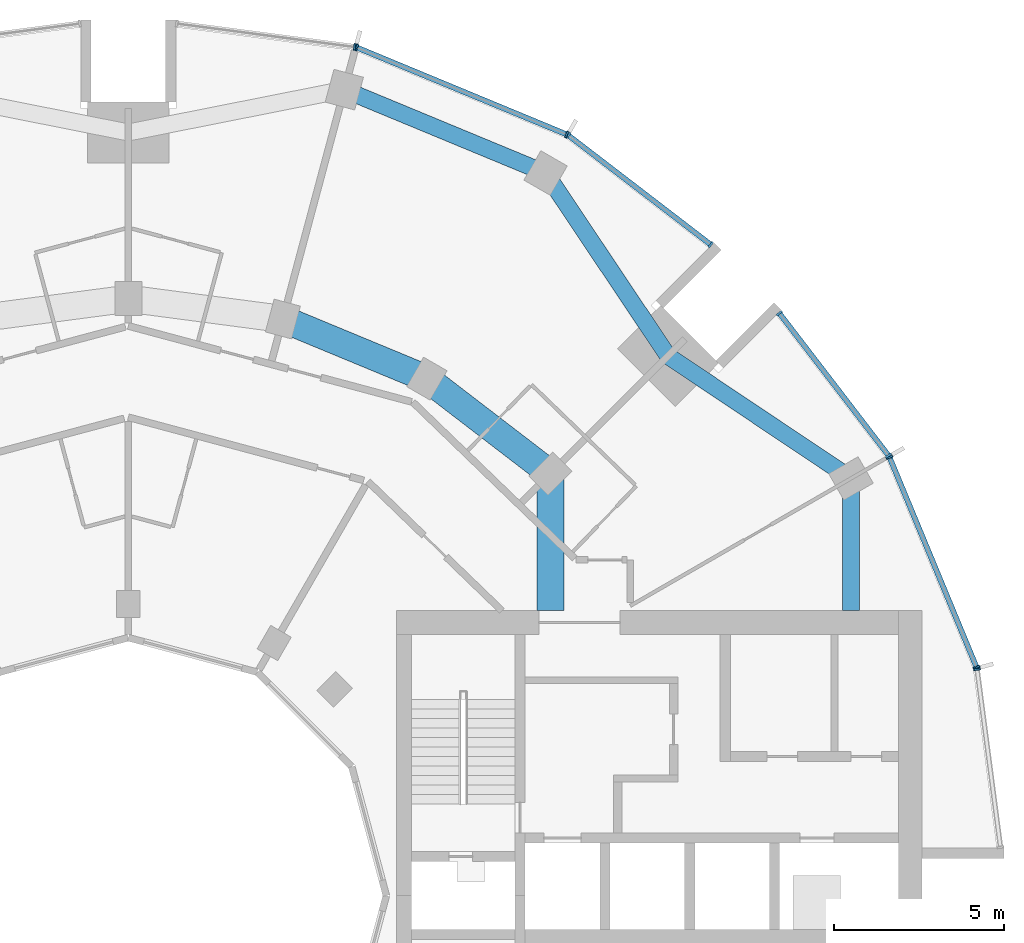
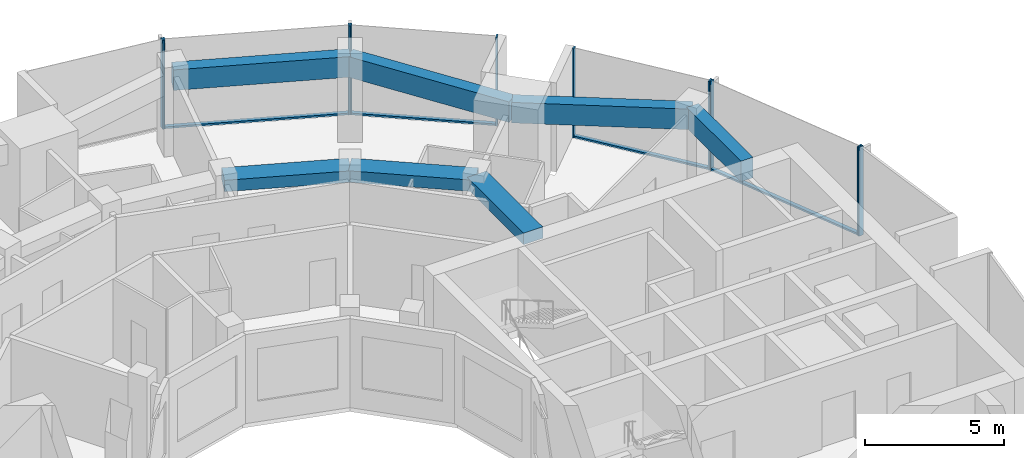
# One storey, part 6 of 15: 14 members, 7 beams, 6 elements without a shape of their own.
"""IFC4 building model written with IfcOpenShell, lengths in metres."""

from ifc_helpers import new_model, si_unit, direction, frame, origin, origin_2d, place, context, subcontext, project, spatial, rectangle, extrude, material, layer, layer_set, material_profile, profile_set, type_object, element, aggregate, save


model = new_model("IFC4")

# Units and contexts
model_context = context("Model", 3, precision=1e-05, world=origin(), true_north=direction((0.0, 1.0)))
body_context = subcontext(model_context, "Body", "Model", "MODEL_VIEW")
ifc_project = project(units=[si_unit("LENGTHUNIT", "METRE"), si_unit("AREAUNIT", "SQUARE_METRE"), si_unit("VOLUMEUNIT", "CUBIC_METRE"), si_unit("PLANEANGLEUNIT", "RADIAN"), si_unit("MASSUNIT", "GRAM", prefix="KILO")], contexts=[model_context])

# Site, building, storey
site_placement = place(None, origin())
site = spatial("IfcSite", under=ifc_project, at=site_placement, CompositionType="ELEMENT")
building_placement = place(site_placement, origin())
building = spatial("IfcBuilding", under=site, at=building_placement, Name="Torre Brocal", CompositionType="ELEMENT")
storey_placement = place(building_placement, frame((0.0, 0.0, 138.0)))
storey = spatial("IfcBuildingStorey", under=building, at=storey_placement, Name="L32", CompositionType="ELEMENT", Elevation=138.0)

# Curtain wall, members
ifc_material_1 = material(Name="Aluminium and glass", Category="aluminium")
ifc_layer_1 = layer(ifc_material_1, 0.199951171875)
ifc_layer_set_1 = layer_set([ifc_layer_1], Name="Aluminium and glass")
curtain_wall_type_1 = type_object("IfcCurtainWallType", Name="CW-1 CURTAIN WALL 3900 HIGH", PredefinedType="NOTDEFINED", material=ifc_layer_set_1)
curtain_wall_1_placement = place(storey_placement, origin())
curtain_wall_1 = element("IfcCurtainWall", 1, at=curtain_wall_1_placement, inside=storey, type_object=curtain_wall_type_1, Name="CW-1 RUN 2", PredefinedType="NOTDEFINED")
ifc_material_2 = material(Name="Aluminium, dark anodised", Category="aluminium")
ifc_material_profile_1 = material_profile(ifc_material_2, rectangle(XDim=0.199951171875, YDim=0.06005859375, at=origin_2d()), Name="CW-1 MULLION 60X200")
ifc_profile_set_1 = profile_set([ifc_material_profile_1], Name="Aluminium, dark anodised")
member_type_1 = type_object("IfcMemberType", Name="CW-1 MULLION 60X200", PredefinedType="MULLION", material=ifc_profile_set_1)
member_1_placement = place(storey_placement, frame((105.005126953125, 81.73095703125, 0.0), z_axis=(0.0, 0.0, 1.0), x_axis=(-0.923879532525, -0.382683432333, 0.0)))
member_1 = element("IfcMember", 2, at=member_1_placement, type_object=member_type_1, Name="CW1-3 mullion 1", PredefinedType="MULLION", context=body_context, shape_type="SweptSolid", body=[
    extrude(rectangle(XDim=0.199951171875, YDim=0.06005859375, at=origin_2d()), origin(), (0.0, 0.0, 1.0), 3.89990234375),
])
member_2_placement = place(storey_placement, frame((102.440673828125, 87.921875, 0.0), z_axis=(0.0, 0.0, 1.0), x_axis=(-0.923879532525, -0.382683432333, 0.0)))
member_2 = element("IfcMember", 3, at=member_2_placement, type_object=member_type_1, Name="CW1-3 mullion 2", PredefinedType="MULLION", context=body_context, shape_type="SweptSolid", body=[
    extrude(rectangle(XDim=0.199951171875, YDim=0.06005859375, at=origin_2d()), origin(), (0.0, 0.0, 1.0), 3.89990234375),
])

curtain_wall_2_placement = place(storey_placement, origin())
curtain_wall_2 = element("IfcCurtainWall", 4, at=curtain_wall_2_placement, inside=storey, type_object=curtain_wall_type_1, Name="CW-1 RUN 3", PredefinedType="NOTDEFINED")
member_3_placement = place(storey_placement, frame((102.4111328125, 87.973388671875, 0.0), z_axis=(0.0, 0.0, 1.0), x_axis=(-0.793353340259, -0.60876142905, 0.0)))
member_3 = element("IfcMember", 5, at=member_3_placement, type_object=member_type_1, Name="CW1-3 mullion 1", PredefinedType="MULLION", context=body_context, shape_type="SweptSolid", body=[
    extrude(rectangle(XDim=0.199951171875, YDim=0.06005859375, at=origin_2d()), origin(), (0.0, 0.0, 1.0), 3.89990234375),
])
member_4_placement = place(storey_placement, frame((99.19140625, 92.16943359375, 0.0), z_axis=(0.0, 0.0, 1.0), x_axis=(-0.793353340259, -0.60876142905, 0.0)))
member_4 = element("IfcMember", 6, at=member_4_placement, type_object=member_type_1, Name="CW1-3 mullion 2", PredefinedType="MULLION", context=body_context, shape_type="SweptSolid", body=[
    extrude(rectangle(XDim=0.199951171875, YDim=0.06005859375, at=origin_2d()), origin(), (0.0, 0.0, 1.0), 3.89990234375),
])

curtain_wall_3_placement = place(storey_placement, origin())
curtain_wall_3 = element("IfcCurtainWall", 7, at=curtain_wall_3_placement, inside=storey, type_object=curtain_wall_type_1, Name="CW-1 RUN 4", PredefinedType="NOTDEFINED")
member_5_placement = place(storey_placement, frame((97.16943359375, 94.19140625, 0.0), z_axis=(0.0, 0.0, 1.0), x_axis=(-0.60876142905, -0.793353340259, 0.0)))
member_5 = element("IfcMember", 8, at=member_5_placement, type_object=member_type_1, Name="CW1-3 mullion 1", PredefinedType="MULLION", context=body_context, shape_type="SweptSolid", body=[
    extrude(rectangle(XDim=0.199951171875, YDim=0.06005859375, at=origin_2d()), origin(), (0.0, 0.0, 1.0), 3.89990234375),
])
member_6_placement = place(storey_placement, frame((92.973388671875, 97.4111328125, 0.0), z_axis=(0.0, 0.0, 1.0), x_axis=(-0.60876142905, -0.793353340259, 0.0)))
member_6 = element("IfcMember", 9, at=member_6_placement, type_object=member_type_1, Name="CW1-3 mullion 2", PredefinedType="MULLION", context=body_context, shape_type="SweptSolid", body=[
    extrude(rectangle(XDim=0.199951171875, YDim=0.06005859375, at=origin_2d()), origin(), (0.0, 0.0, 1.0), 3.89990234375),
])

curtain_wall_4_placement = place(storey_placement, origin())
curtain_wall_4 = element("IfcCurtainWall", 10, at=curtain_wall_4_placement, inside=storey, type_object=curtain_wall_type_1, Name="CW-1 RUN 5", PredefinedType="NOTDEFINED")
member_7_placement = place(storey_placement, frame((92.921875, 97.440673828125, 0.0), z_axis=(0.0, 0.0, 1.0), x_axis=(-0.382683432333, -0.923879532525, 0.0)))
member_7 = element("IfcMember", 11, at=member_7_placement, type_object=member_type_1, Name="CW1-3 mullion 1", PredefinedType="MULLION", context=body_context, shape_type="SweptSolid", body=[
    extrude(rectangle(XDim=0.199951171875, YDim=0.06005859375, at=origin_2d()), origin(), (0.0, 0.0, 1.0), 3.89990234375),
])
member_8_placement = place(storey_placement, frame((86.73095703125, 100.005126953125, 0.0), z_axis=(0.0, 0.0, 1.0), x_axis=(-0.382683432333, -0.923879532525, 0.0)))
member_8 = element("IfcMember", 12, at=member_8_placement, type_object=member_type_1, Name="CW1-3 mullion 2", PredefinedType="MULLION", context=body_context, shape_type="SweptSolid", body=[
    extrude(rectangle(XDim=0.199951171875, YDim=0.06005859375, at=origin_2d()), origin(), (0.0, 0.0, 1.0), 3.89990234375),
])

# Curtain wall, member
curtain_wall_5_placement = place(storey_placement, origin())
curtain_wall_5 = element("IfcCurtainWall", 13, at=curtain_wall_5_placement, inside=storey, type_object=curtain_wall_type_1, Name="CW-1 RUN 6", PredefinedType="NOTDEFINED")
member_9_placement = place(storey_placement, frame((86.67333984375, 100.0205078125, 0.0), z_axis=(0.0, 0.0, 1.0), x_axis=(-0.13052619222, -0.991444861374, 0.0)))
member_9 = element("IfcMember", 14, at=member_9_placement, type_object=member_type_1, Name="CW1-3 mullion 1", PredefinedType="MULLION", context=body_context, shape_type="SweptSolid", body=[
    extrude(rectangle(XDim=0.199951171875, YDim=0.06005859375, at=origin_2d()), origin(), (0.0, 0.0, 1.0), 3.89990234375),
])
aggregate(curtain_wall_5, [member_9])

# Member
ifc_material_3 = material(Name="Aluminium, dark anodised", Category="aluminium")
ifc_material_profile_2 = material_profile(ifc_material_3, rectangle(XDim=0.159912109375, YDim=0.080078125, at=origin_2d()), Name="CW-1 TRANSOM 160X80")
ifc_profile_set_2 = profile_set([ifc_material_profile_2], Name="Aluminium, dark anodised")
member_type_2 = type_object("IfcMemberType", Name="CW-1 TRANSOM 160X80", PredefinedType="USERDEFINED", material=ifc_profile_set_2)
member_10_placement = place(storey_placement, frame((104.99365234375, 81.758544921875, 0.0400390625), z_axis=(-0.38266457234, 0.923887344364, 0.0), x_axis=(-0.923887344364, -0.38266457234, 0.0)))
member_10 = element("IfcMember", 15, at=member_10_placement, type_object=member_type_2, Name="CW1-3 transom 1.1", ObjectType="TRANSOM", PredefinedType="USERDEFINED", context=body_context, shape_type="SweptSolid", body=[
    extrude(rectangle(XDim=0.159912109375, YDim=0.080078125, at=origin_2d()), origin(), (0.0, 0.0, 1.0), 6.640869140625),
])

aggregate(curtain_wall_1, [member_1, member_2, member_10])

member_11_placement = place(storey_placement, frame((102.392822265625, 87.9970703125, 0.0400390625), z_axis=(-0.60874908096, 0.79336281513, 0.0), x_axis=(-0.79336281513, -0.60874908096, 0.0)))
member_11 = element("IfcMember", 16, at=member_11_placement, type_object=member_type_2, Name="CW1-3 transom 1.1", ObjectType="TRANSOM", PredefinedType="USERDEFINED", context=body_context, shape_type="SweptSolid", body=[
    extrude(rectangle(XDim=0.159912109375, YDim=0.080078125, at=origin_2d()), origin(), (0.0, 0.0, 1.0), 5.22900390625),
])

aggregate(curtain_wall_2, [member_3, member_4, member_11])

member_12_placement = place(storey_placement, frame((97.1455078125, 94.209716796875, 0.0400390625), z_axis=(-0.79336281513, 0.60874908096, 0.0), x_axis=(-0.60874908096, -0.79336281513, 0.0)))
member_12 = element("IfcMember", 17, at=member_12_placement, type_object=member_type_2, Name="CW1-3 transom 1.1", ObjectType="TRANSOM", PredefinedType="USERDEFINED", context=body_context, shape_type="SweptSolid", body=[
    extrude(rectangle(XDim=0.159912109375, YDim=0.080078125, at=origin_2d()), origin(), (0.0, 0.0, 1.0), 5.22900390625),
])

aggregate(curtain_wall_3, [member_5, member_6, member_12])

member_13_placement = place(storey_placement, frame((92.89404296875, 97.452392578125, 0.0400390625), z_axis=(-0.923887344364, 0.38266457234, 0.0), x_axis=(-0.38266457234, -0.923887344364, 0.0)))
member_13 = element("IfcMember", 18, at=member_13_placement, type_object=member_type_2, Name="CW1-3 transom 1.1", ObjectType="TRANSOM", PredefinedType="USERDEFINED", context=body_context, shape_type="SweptSolid", body=[
    extrude(rectangle(XDim=0.159912109375, YDim=0.080078125, at=origin_2d()), origin(), (0.0, 0.0, 1.0), 6.640869140625),
])

aggregate(curtain_wall_4, [member_7, member_8, member_13])

# Curtain wall, member
ifc_material_4 = material(Name="Aluminium and glass", Category="aluminium")
ifc_layer_2 = layer(ifc_material_4, 0.199951171875)
ifc_layer_set_2 = layer_set([ifc_layer_2], Name="Aluminium and glass")
curtain_wall_type_2 = type_object("IfcCurtainWallType", Name="CW-1B CURTAIN WALL 3900 HIGH", PredefinedType="NOTDEFINED", material=ifc_layer_set_2)
curtain_wall_6_placement = place(storey_placement, origin())
curtain_wall_6 = element("IfcCurtainWall", 19, at=curtain_wall_6_placement, inside=storey, type_object=curtain_wall_type_2, Name="CW-1B RUN 1", PredefinedType="NOTDEFINED")
ifc_material_5 = material(Name="Aluminium, dark anodised", Category="aluminium")
ifc_material_profile_3 = material_profile(ifc_material_5, rectangle(XDim=0.199951171875, YDim=0.06005859375, at=origin_2d()), Name="CW-1B MULLION 60X200")
ifc_profile_set_3 = profile_set([ifc_material_profile_3], Name="Aluminium, dark anodised")
member_type_3 = type_object("IfcMemberType", Name="CW-1B MULLION 60X200", PredefinedType="MULLION", material=ifc_profile_set_3)
member_14_placement = place(storey_placement, frame((105.0205078125, 81.67333984375, 0.0), z_axis=(0.0, 0.0, 1.0), x_axis=(-0.991444861374, -0.13052619222, 0.0)))
member_14 = element("IfcMember", 20, at=member_14_placement, type_object=member_type_3, Name="CW1B-3 mullion 2", PredefinedType="MULLION", context=body_context, shape_type="SweptSolid", body=[
    extrude(rectangle(XDim=0.199951171875, YDim=0.06005859375, at=origin_2d()), origin(), (0.0, 0.0, 1.0), 3.89990234375),
])
aggregate(curtain_wall_6, [member_14])

# Beams
ifc_material_6 = material(Name="Concrete C50", Category="concrete")
ifc_material_profile_4 = material_profile(ifc_material_6, rectangle(XDim=0.800048828125, YDim=0.5, at=origin_2d()), Name="RC 800X500")
ifc_profile_set_4 = profile_set([ifc_material_profile_4], Name="Concrete C50")
beam_type_1 = type_object("IfcBeamType", Name="RC BEAM 800X500 C50 TOP 3580", PredefinedType="BEAM", material=ifc_profile_set_4)
beam_1_placement = place(storey_placement, frame((92.445068359375, 87.445068359375, 3.330078125), z_axis=(-0.793358265959, 0.6087550097, 0.0), x_axis=(-0.6087550097, -0.793358265959, 0.0)))
element("IfcBeam", 21, at=beam_1_placement, inside=storey, type_object=beam_type_1, Name="Beam BT-28", PredefinedType="BEAM", context=body_context, shape_type="SweptSolid", body=[
    extrude(rectangle(XDim=0.800048828125, YDim=0.5, at=origin_2d()), origin(), (0.0, 0.0, 1.0), 4.594482421875),
])
beam_2_placement = place(storey_placement, frame((88.800048828125, 90.241943359375, 3.330078125), z_axis=(-0.923878240166, 0.382686552348, 0.0), x_axis=(-0.382686552348, -0.923878240166, 0.0)))
element("IfcBeam", 22, at=beam_2_placement, inside=storey, type_object=beam_type_1, Name="Beam BT-28", PredefinedType="BEAM", context=body_context, shape_type="SweptSolid", body=[
    extrude(rectangle(XDim=0.800048828125, YDim=0.5, at=origin_2d()), origin(), (0.0, 0.0, 1.0), 4.5947265625),
])
beam_3_placement = place(storey_placement, frame((92.445068359375, 87.445068359375, 3.330078125), z_axis=(0.0, -1.0, 0.0), x_axis=(1.0, 0.0, 0.0)))
element("IfcBeam", 23, at=beam_3_placement, inside=storey, type_object=beam_type_1, Name="Beam BT-28", PredefinedType="BEAM", context=body_context, shape_type="SweptSolid", body=[
    extrude(rectangle(XDim=0.800048828125, YDim=0.5, at=origin_2d()), origin(), (0.0, 0.0, 1.0), 4.045166015625),
])
ifc_material_7 = material(Name="Concrete C50", Category="concrete")
ifc_material_profile_5 = material_profile(ifc_material_7, rectangle(XDim=0.5, YDim=0.89990234375, at=origin_2d()), Name="RC 500X900")
ifc_profile_set_5 = profile_set([ifc_material_profile_5], Name="Concrete C50")
beam_type_2 = type_object("IfcBeamType", Name="RC SPANDREL BEAM 500X900 C50 TOP 3580", PredefinedType="SPANDREL", material=ifc_profile_set_5)
for number, where, z_axis, x_axis, name in (
    (24, (101.30419921875, 87.300048828125, 3.1298828125), (-0.831076844476, 0.556157602282, 0.0), (-0.556157602282, -0.831076844476, 0.0), "Beam BT-29"),
    (25, (95.909912109375, 90.909912109375, 3.1298828125), (-0.556157602282, 0.831076844476, 0.0), (-0.831076844476, -0.556157602282, 0.0), "Beam BT-29"),
):
    element("IfcBeam", number, at=place(storey_placement, frame(where, z_axis=z_axis, x_axis=x_axis)), inside=storey, type_object=beam_type_2, Name=name, PredefinedType="SPANDREL", context=body_context, shape_type="SweptSolid", body=[
        extrude(rectangle(XDim=0.5, YDim=0.89990234375, at=origin_2d()), origin(), (0.0, 0.0, 1.0), 6.49072265625),
    ])
beam_4_placement = place(storey_placement, frame((92.300048828125, 96.30419921875, 3.1298828125), z_axis=(-0.923882462513, 0.382676358639, 0.0), x_axis=(-0.382676358639, -0.923882462513, 0.0)))
element("IfcBeam", 26, at=beam_4_placement, inside=storey, type_object=beam_type_2, Name="Beam BT-29", PredefinedType="SPANDREL", context=body_context, shape_type="SweptSolid", body=[
    extrude(rectangle(XDim=0.5, YDim=0.89990234375, at=origin_2d()), origin(), (0.0, 0.0, 1.0), 6.421875),
])
beam_5_placement = place(storey_placement, frame((101.30419921875, 87.300048828125, 3.1298828125), z_axis=(0.0, -1.0, 0.0), x_axis=(1.0, 0.0, 0.0)))
element("IfcBeam", 27, at=beam_5_placement, inside=storey, type_object=beam_type_2, Name="Beam BT-29", PredefinedType="SPANDREL", context=body_context, shape_type="SweptSolid", body=[
    extrude(rectangle(XDim=0.5, YDim=0.89990234375, at=origin_2d()), origin(), (0.0, 0.0, 1.0), 3.900146484375),
])

save(model, "model.ifc")
